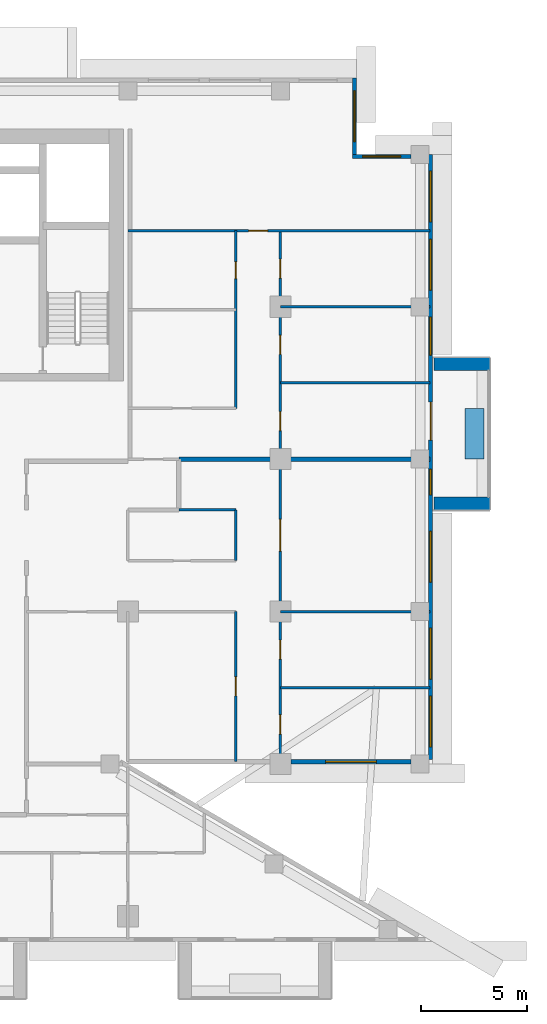
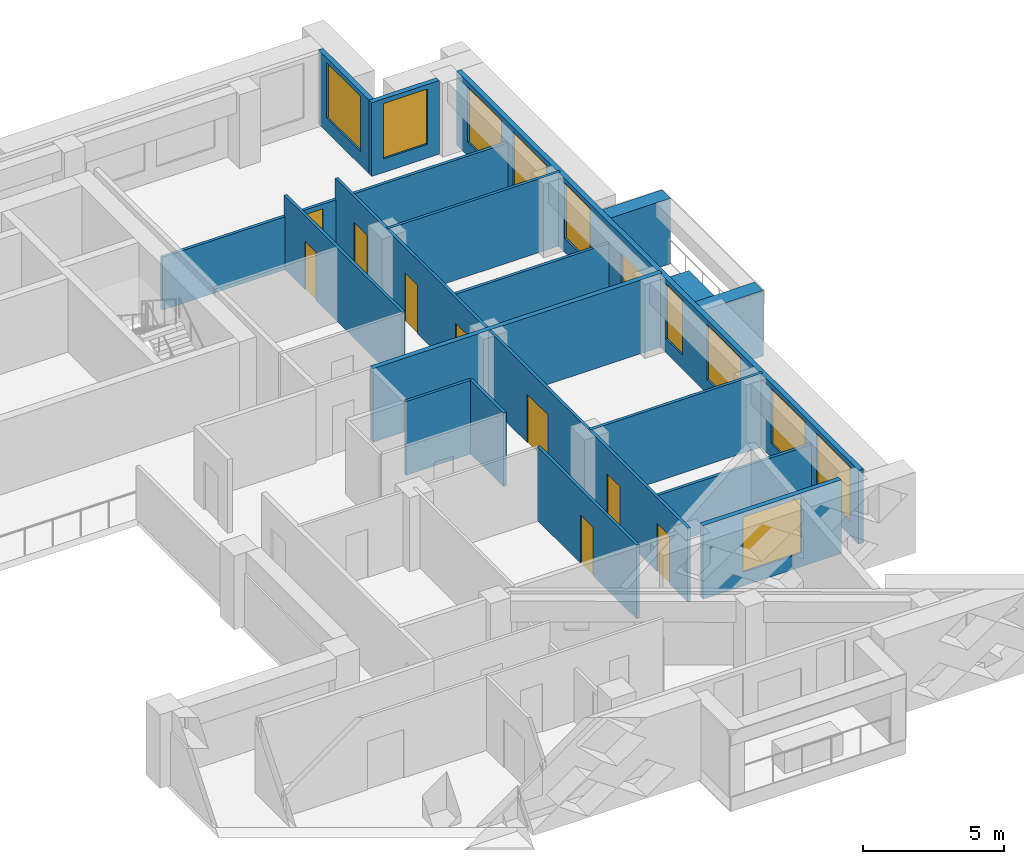
# One storey, part 12 of 20: 18 walls, 10 doors, 10 windows, 20 openings.
"""IFC4 building model written with IfcOpenShell, lengths in metres."""

from ifc_helpers import new_model, si_unit, direction, frame, frame_2d, origin, place, context, subcontext, project, spatial, rectangle, extrude, material, layer, layer_set, type_object, element, fill, save


model = new_model("IFC4")

# Units and contexts
model_context = context("Model", 3, precision=1e-05, world=origin(), true_north=direction((0.0, 1.0)))
body_context = subcontext(model_context, "Body", "Model", "MODEL_VIEW")
ifc_project = project(units=[si_unit("LENGTHUNIT", "METRE"), si_unit("AREAUNIT", "SQUARE_METRE"), si_unit("VOLUMEUNIT", "CUBIC_METRE"), si_unit("PLANEANGLEUNIT", "RADIAN"), si_unit("MASSUNIT", "GRAM", prefix="KILO")], contexts=[model_context])

# Site, building, storey
site_placement = place(None, origin())
site = spatial("IfcSite", under=ifc_project, at=site_placement, CompositionType="ELEMENT")
building_placement = place(site_placement, origin())
building = spatial("IfcBuilding", under=site, at=building_placement, Name="Saffron Iwan Residences", CompositionType="ELEMENT")
storey_placement = place(building_placement, frame((0.0, 0.0, 153.5)))
storey = spatial("IfcBuildingStorey", under=building, at=storey_placement, Name="L40", CompositionType="ELEMENT", Elevation=153.5)

# Walls
ifc_material_1 = material(Name="Concrete C50/60 white painted", Category="concrete")
ifc_layer_1 = layer(ifc_material_1, 0.60009765625)
ifc_layer_set_1 = layer_set([ifc_layer_1], Name="Concrete C50/60 white painted")
wall_type_1 = type_object("IfcWallType", Name="BALCONY FIN 600", PredefinedType="SOLIDWALL", material=ifc_layer_set_1)
for number, where, z_axis, x_axis, name in (
    (1, (86.449951171875, 60.300048828125, 0.0), (0.0, 0.0, 1.0), (1.0, 0.0, 0.0), "Balcony fin L40 F2-0a"),
    (2, (86.449951171875, 66.89990234375, 0.0), (0.0, 0.0, 1.0), (1.0, 0.0, 0.0), "Balcony fin L40 F2-0b"),
):
    element("IfcWall", number, at=place(storey_placement, frame(where, z_axis=z_axis, x_axis=x_axis)), inside=storey, type_object=wall_type_1, Name=name, PredefinedType="SOLIDWALL", context=body_context, shape_type="SweptSolid", body=[
        extrude(rectangle(XDim=2.650146484375, YDim=0.60009765625, at=frame_2d((1.3251953125, 0.0))), origin(), (0.0, 0.0, 1.0), 2.85009765625),
    ])
ifc_material_2 = material(Name="Concrete C35/45 white painted", Category="concrete")
ifc_layer_2 = layer(ifc_material_2, 0.14990234375)
ifc_layer_set_2 = layer_set([ifc_layer_2], Name="Concrete C35/45 white painted")
wall_type_2 = type_object("IfcWallType", Name="BALCONY PLANTER", PredefinedType="SOLIDWALL", material=ifc_layer_set_2)
wall_1_placement = place(storey_placement, frame((88.375, 62.39990234375, 0.0), z_axis=(0.0, 0.0, 1.0), x_axis=(0.0, 1.0, 0.0)))
element("IfcWall", 3, at=wall_1_placement, inside=storey, type_object=wall_type_2, Name="PLANTER L40 F2-0", PredefinedType="SOLIDWALL", context=body_context, shape_type="SweptSolid", body=[
    extrude(rectangle(XDim=2.400146484375, YDim=0.89990234375, at=frame_2d((1.2001953125, 0.0))), origin(), (0.0, 0.0, 1.0), 0.89990234375),
])

# Wall, opening, window
ifc_material_3 = material(Name="Concrete C40/50", Category="concrete")
ifc_layer_3 = layer(ifc_material_3, 0.199951171875)
ifc_layer_set_3 = layer_set([ifc_layer_3], Name="Concrete C40/50")
wall_type_3 = type_object("IfcWallType", Name="EXTERNAL WALL 200", PredefinedType="SOLIDWALL", material=ifc_layer_set_3)
wall_2_placement = place(storey_placement, frame((79.699951171875, 48.10009765625, 0.0), z_axis=(0.0, 0.0, 1.0), x_axis=(1.0, 0.0, 0.0)))
wall_2 = element("IfcWall", 4, at=wall_2_placement, inside=storey, type_object=wall_type_3, Name="External wall L40 F1.1", PredefinedType="SOLIDWALL", context=body_context, shape_type="SweptSolid", body=[
    extrude(rectangle(XDim=5.675048828125, YDim=0.199951171875, at=frame_2d((2.83740234375, 0.0))), origin(), (0.0, 0.0, 1.0), 3.199951171875),
])
opening_1_placement = place(wall_2_placement, frame((1.637451171875, 0.0, 0.60009765625)))
opening_1 = element("IfcOpeningElement", 5, at=opening_1_placement, cuts=wall_2, Name="Opening W1", PredefinedType="OPENING", context=body_context, shape_type="SweptSolid", body=[
    extrude(rectangle(XDim=2.39990234375, YDim=2.39990234375, at=frame_2d((1.199951171875, 1.199951171875))), frame((0.0, 0.10986328125, 0.0), z_axis=(0.0, -1.0, 0.0), x_axis=(1.0, 0.0, 0.0)), (0.0, 0.0, 1.0), 0.219970703125),
])
ifc_material_4 = material(Name="Clear glass, laminated double glazed", Category="glass")
window_type_1 = type_object("IfcWindowType", Name="WINDOW 2400 x 2400", PartitioningType="DOUBLE_PANEL_VERTICAL", PredefinedType="WINDOW", material=ifc_material_4)
window_1_placement = place(opening_1_placement, origin())
window_1 = element("IfcWindow", 6, at=window_1_placement, inside=storey, type_object=window_type_1, Name="Window L40 F1.0", OverallHeight=2.39990234375, OverallWidth=2.39990234375, PartitioningType="DOUBLE_PANEL_VERTICAL", PredefinedType="WINDOW", context=body_context, shape_type="SweptSolid", body=[
    extrude(rectangle(XDim=2.39990234375, YDim=2.39990234375, at=frame_2d((1.199951171875, 1.199951171875))), frame((0.0, 0.030029296875, 0.0), z_axis=(0.0, -1.0, 0.0), x_axis=(1.0, 0.0, 0.0)), (0.0, 0.0, 1.0), 0.06005859375),
])
fill(opening_1, window_1)

# Wall, openings, door, windows
wall_3_placement = place(storey_placement, frame((86.300048828125, 48.199951171875, 0.0), z_axis=(0.0, 0.0, 1.0), x_axis=(0.0, 1.0, 0.0)))
wall_3 = element("IfcWall", 7, at=wall_3_placement, inside=storey, type_object=wall_type_3, Name="External wall L40 F2.0", PredefinedType="SOLIDWALL", context=body_context, shape_type="SweptSolid", body=[
    extrude(rectangle(XDim=28.60009765625, YDim=0.199951171875, at=frame_2d((14.300048828125, 0.0))), origin(), (0.0, 0.0, 1.0), 3.199951171875),
])
opening_2_placement = place(wall_3_placement, frame((15.10009765625, 0.0, 0.0)))
opening_2 = element("IfcOpeningElement", 8, at=opening_2_placement, cuts=wall_3, Name="Opening BD1", PredefinedType="OPENING", context=body_context, shape_type="SweptSolid", body=[
    extrude(rectangle(XDim=1.800048828125, YDim=2.39990234375, at=frame_2d((0.89990234375, 1.199951171875))), frame((0.0, 0.10986328125, 0.0), z_axis=(0.0, -1.0, 0.0), x_axis=(1.0, 0.0, 0.0)), (0.0, 0.0, 1.0), 0.219970703125),
])
opening_3_placement = place(wall_3_placement, frame((0.60009765625, 0.0, 0.60009765625)))
opening_3 = element("IfcOpeningElement", 9, at=opening_3_placement, cuts=wall_3, Name="Opening W1", PredefinedType="OPENING", context=body_context, shape_type="SweptSolid", body=[
    extrude(rectangle(XDim=2.39990234375, YDim=2.39990234375, at=frame_2d((1.199951171875, 1.199951171875))), frame((0.0, 0.10986328125, 0.0), z_axis=(0.0, -1.0, 0.0), x_axis=(1.0, 0.0, 0.0)), (0.0, 0.0, 1.0), 0.219970703125),
])
opening_4_placement = place(wall_3_placement, frame((3.8125, 0.0, 0.60009765625)))
opening_4 = element("IfcOpeningElement", 10, at=opening_4_placement, cuts=wall_3, Name="Opening W1", PredefinedType="OPENING", context=body_context, shape_type="SweptSolid", body=[
    extrude(rectangle(XDim=2.39990234375, YDim=2.39990234375, at=frame_2d((1.199951171875, 1.199951171875))), frame((0.0, 0.10986328125, 0.0), z_axis=(0.0, -1.0, 0.0), x_axis=(1.0, 0.0, 0.0)), (0.0, 0.0, 1.0), 0.219970703125),
])
opening_5_placement = place(wall_3_placement, frame((8.387451171875, 0.0, 0.60009765625)))
opening_5 = element("IfcOpeningElement", 11, at=opening_5_placement, cuts=wall_3, Name="Opening W1", PredefinedType="OPENING", context=body_context, shape_type="SweptSolid", body=[
    extrude(rectangle(XDim=2.39990234375, YDim=2.39990234375, at=frame_2d((1.199951171875, 1.199951171875))), frame((0.0, 0.10986328125, 0.0), z_axis=(0.0, -1.0, 0.0), x_axis=(1.0, 0.0, 0.0)), (0.0, 0.0, 1.0), 0.219970703125),
])
opening_6_placement = place(wall_3_placement, frame((12.512451171875, 0.0, 0.60009765625)))
opening_6 = element("IfcOpeningElement", 12, at=opening_6_placement, cuts=wall_3, Name="Opening W3", PredefinedType="OPENING", context=body_context, shape_type="SweptSolid", body=[
    extrude(rectangle(XDim=1.199951171875, YDim=2.39990234375, at=frame_2d((0.60009765625, 1.199951171875))), frame((0.0, 0.10986328125, 0.0), z_axis=(0.0, -1.0, 0.0), x_axis=(1.0, 0.0, 0.0)), (0.0, 0.0, 1.0), 0.219970703125),
])
opening_7_placement = place(wall_3_placement, frame((19.112548828125, 0.0, 0.60009765625)))
opening_7 = element("IfcOpeningElement", 13, at=opening_7_placement, cuts=wall_3, Name="Opening W8", PredefinedType="OPENING", context=body_context, shape_type="SweptSolid", body=[
    extrude(rectangle(XDim=1.800048828125, YDim=2.39990234375, at=frame_2d((0.89990234375, 1.199951171875))), frame((0.0, 0.10986328125, 0.0), z_axis=(0.0, -1.0, 0.0), x_axis=(1.0, 0.0, 0.0)), (0.0, 0.0, 1.0), 0.219970703125),
])
opening_8_placement = place(wall_3_placement, frame((22.1875, 0.0, 0.60009765625)))
opening_8 = element("IfcOpeningElement", 14, at=opening_8_placement, cuts=wall_3, Name="Opening W1", PredefinedType="OPENING", context=body_context, shape_type="SweptSolid", body=[
    extrude(rectangle(XDim=2.39990234375, YDim=2.39990234375, at=frame_2d((1.199951171875, 1.199951171875))), frame((0.0, 0.10986328125, 0.0), z_axis=(0.0, -1.0, 0.0), x_axis=(1.0, 0.0, 0.0)), (0.0, 0.0, 1.0), 0.219970703125),
])
opening_9_placement = place(wall_3_placement, frame((25.41259765625, 0.0, 0.60009765625)))
opening_9 = element("IfcOpeningElement", 15, at=opening_9_placement, cuts=wall_3, Name="Opening W1", PredefinedType="OPENING", context=body_context, shape_type="SweptSolid", body=[
    extrude(rectangle(XDim=2.39990234375, YDim=2.39990234375, at=frame_2d((1.199951171875, 1.199951171875))), frame((0.0, 0.10986328125, 0.0), z_axis=(0.0, -1.0, 0.0), x_axis=(1.0, 0.0, 0.0)), (0.0, 0.0, 1.0), 0.219970703125),
])
door_type_1 = type_object("IfcDoorType", Name="BALCONY DOOR 1800 x 2400", OperationType="DOUBLE_DOOR_SLIDING", PredefinedType="DOOR", material=ifc_material_4)
door_1_placement = place(opening_2_placement, origin())
door_1 = element("IfcDoor", 16, at=door_1_placement, inside=storey, type_object=door_type_1, Name="Balcony door L40 F2.0", OperationType="DOUBLE_DOOR_SLIDING", OverallHeight=2.39990234375, OverallWidth=1.800048828125, PredefinedType="DOOR", context=body_context, shape_type="SweptSolid", body=[
    extrude(rectangle(XDim=1.800048828125, YDim=2.39990234375, at=frame_2d((0.89990234375, 1.199951171875))), frame((0.0, 0.02490234375, 0.0), z_axis=(0.0, -1.0, 0.0), x_axis=(1.0, 0.0, 0.0)), (0.0, 0.0, 1.0), 0.050048828125),
])
fill(opening_2, door_1)
window_type_2 = type_object("IfcWindowType", Name="WINDOW 1200 x 2400", PartitioningType="SINGLE_PANEL", PredefinedType="WINDOW", material=ifc_material_4)
window_2_placement = place(opening_6_placement, origin())
window_2 = element("IfcWindow", 17, at=window_2_placement, inside=storey, type_object=window_type_2, Name="Window L40 F2.4", OverallHeight=2.39990234375, OverallWidth=1.199951171875, PartitioningType="SINGLE_PANEL", PredefinedType="WINDOW", context=body_context, shape_type="SweptSolid", body=[
    extrude(rectangle(XDim=1.199951171875, YDim=2.39990234375, at=frame_2d((0.60009765625, 1.199951171875))), frame((0.0, 0.030029296875, 0.0), z_axis=(0.0, -1.0, 0.0), x_axis=(1.0, 0.0, 0.0)), (0.0, 0.0, 1.0), 0.06005859375),
])
fill(opening_6, window_2)
window_type_3 = type_object("IfcWindowType", Name="WINDOW 1800 x 2400", PartitioningType="DOUBLE_PANEL_VERTICAL", PredefinedType="WINDOW", material=ifc_material_4)
window_3_placement = place(opening_7_placement, origin())
window_3 = element("IfcWindow", 18, at=window_3_placement, inside=storey, type_object=window_type_3, Name="Window L40 F2.5", OverallHeight=2.39990234375, OverallWidth=1.800048828125, PartitioningType="DOUBLE_PANEL_VERTICAL", PredefinedType="WINDOW", context=body_context, shape_type="SweptSolid", body=[
    extrude(rectangle(XDim=1.800048828125, YDim=2.39990234375, at=frame_2d((0.89990234375, 1.199951171875))), frame((0.0, 0.030029296875, 0.0), z_axis=(0.0, -1.0, 0.0), x_axis=(1.0, 0.0, 0.0)), (0.0, 0.0, 1.0), 0.06005859375),
])
fill(opening_7, window_3)
window_4_placement = place(opening_3_placement, origin())
window_4 = element("IfcWindow", 19, at=window_4_placement, inside=storey, type_object=window_type_1, Name="Window L40 F2.1", OverallHeight=2.39990234375, OverallWidth=2.39990234375, PartitioningType="DOUBLE_PANEL_VERTICAL", PredefinedType="WINDOW", context=body_context, shape_type="SweptSolid", body=[
    extrude(rectangle(XDim=2.39990234375, YDim=2.39990234375, at=frame_2d((1.199951171875, 1.199951171875))), frame((0.0, 0.030029296875, 0.0), z_axis=(0.0, -1.0, 0.0), x_axis=(1.0, 0.0, 0.0)), (0.0, 0.0, 1.0), 0.06005859375),
])
fill(opening_3, window_4)
window_5_placement = place(opening_4_placement, origin())
window_5 = element("IfcWindow", 20, at=window_5_placement, inside=storey, type_object=window_type_1, Name="Window L40 F2.2", OverallHeight=2.39990234375, OverallWidth=2.39990234375, PartitioningType="DOUBLE_PANEL_VERTICAL", PredefinedType="WINDOW", context=body_context, shape_type="SweptSolid", body=[
    extrude(rectangle(XDim=2.39990234375, YDim=2.39990234375, at=frame_2d((1.199951171875, 1.199951171875))), frame((0.0, 0.030029296875, 0.0), z_axis=(0.0, -1.0, 0.0), x_axis=(1.0, 0.0, 0.0)), (0.0, 0.0, 1.0), 0.06005859375),
])
fill(opening_4, window_5)
window_6_placement = place(opening_5_placement, origin())
window_6 = element("IfcWindow", 21, at=window_6_placement, inside=storey, type_object=window_type_1, Name="Window L40 F2.3", OverallHeight=2.39990234375, OverallWidth=2.39990234375, PartitioningType="DOUBLE_PANEL_VERTICAL", PredefinedType="WINDOW", context=body_context, shape_type="SweptSolid", body=[
    extrude(rectangle(XDim=2.39990234375, YDim=2.39990234375, at=frame_2d((1.199951171875, 1.199951171875))), frame((0.0, 0.030029296875, 0.0), z_axis=(0.0, -1.0, 0.0), x_axis=(1.0, 0.0, 0.0)), (0.0, 0.0, 1.0), 0.06005859375),
])
fill(opening_5, window_6)
window_7_placement = place(opening_8_placement, origin())
window_7 = element("IfcWindow", 22, at=window_7_placement, inside=storey, type_object=window_type_1, Name="Window L40 F2.6", OverallHeight=2.39990234375, OverallWidth=2.39990234375, PartitioningType="DOUBLE_PANEL_VERTICAL", PredefinedType="WINDOW", context=body_context, shape_type="SweptSolid", body=[
    extrude(rectangle(XDim=2.39990234375, YDim=2.39990234375, at=frame_2d((1.199951171875, 1.199951171875))), frame((0.0, 0.030029296875, 0.0), z_axis=(0.0, -1.0, 0.0), x_axis=(1.0, 0.0, 0.0)), (0.0, 0.0, 1.0), 0.06005859375),
])
fill(opening_8, window_7)
window_8_placement = place(opening_9_placement, origin())
window_8 = element("IfcWindow", 23, at=window_8_placement, inside=storey, type_object=window_type_1, Name="Window L40 F2.7", OverallHeight=2.39990234375, OverallWidth=2.39990234375, PartitioningType="DOUBLE_PANEL_VERTICAL", PredefinedType="WINDOW", context=body_context, shape_type="SweptSolid", body=[
    extrude(rectangle(XDim=2.39990234375, YDim=2.39990234375, at=frame_2d((1.199951171875, 1.199951171875))), frame((0.0, 0.030029296875, 0.0), z_axis=(0.0, -1.0, 0.0), x_axis=(1.0, 0.0, 0.0)), (0.0, 0.0, 1.0), 0.06005859375),
])
fill(opening_9, window_8)

# Wall, opening, window
wall_4_placement = place(storey_placement, frame((85.375, 76.699951171875, 0.0), z_axis=(0.0, 0.0, 1.0), x_axis=(-1.0, 0.0, 0.0)))
wall_4 = element("IfcWall", 24, at=wall_4_placement, inside=storey, type_object=wall_type_3, Name="External wall L40 F3.0", PredefinedType="SOLIDWALL", context=body_context, shape_type="SweptSolid", body=[
    extrude(rectangle(XDim=2.77490234375, YDim=0.199951171875, at=frame_2d((1.387451171875, 0.0))), origin(), (0.0, 0.0, 1.0), 3.199951171875),
])
opening_10_placement = place(wall_4_placement, frame((0.487548828125, 0.0, 0.60009765625)))
opening_10 = element("IfcOpeningElement", 25, at=opening_10_placement, cuts=wall_4, Name="Opening W8", PredefinedType="OPENING", context=body_context, shape_type="SweptSolid", body=[
    extrude(rectangle(XDim=1.800048828125, YDim=2.39990234375, at=frame_2d((0.89990234375, 1.199951171875))), frame((0.0, 0.10986328125, 0.0), z_axis=(0.0, -1.0, 0.0), x_axis=(1.0, 0.0, 0.0)), (0.0, 0.0, 1.0), 0.219970703125),
])
window_9_placement = place(opening_10_placement, origin())
window_9 = element("IfcWindow", 26, at=window_9_placement, inside=storey, type_object=window_type_3, Name="Window L40 F3.0", OverallHeight=2.39990234375, OverallWidth=1.800048828125, PartitioningType="DOUBLE_PANEL_VERTICAL", PredefinedType="WINDOW", context=body_context, shape_type="SweptSolid", body=[
    extrude(rectangle(XDim=1.800048828125, YDim=2.39990234375, at=frame_2d((0.89990234375, 1.199951171875))), frame((0.0, 0.030029296875, 0.0), z_axis=(0.0, -1.0, 0.0), x_axis=(1.0, 0.0, 0.0)), (0.0, 0.0, 1.0), 0.06005859375),
])
fill(opening_10, window_9)

wall_5_placement = place(storey_placement, frame((82.699951171875, 76.800048828125, 0.0), z_axis=(0.0, 0.0, 1.0), x_axis=(0.0, 1.0, 0.0)))
wall_5 = element("IfcWall", 27, at=wall_5_placement, inside=storey, type_object=wall_type_3, Name="External wall L40 F4.0", PredefinedType="SOLIDWALL", context=body_context, shape_type="SweptSolid", body=[
    extrude(rectangle(XDim=3.599853515625, YDim=0.199951171875, at=frame_2d((1.7998046875, 0.0))), origin(), (0.0, 0.0, 1.0), 3.199951171875),
])
opening_11_placement = place(wall_5_placement, frame((0.60009765625, 0.0, 0.60009765625)))
opening_11 = element("IfcOpeningElement", 28, at=opening_11_placement, cuts=wall_5, Name="Opening W1", PredefinedType="OPENING", context=body_context, shape_type="SweptSolid", body=[
    extrude(rectangle(XDim=2.39990234375, YDim=2.39990234375, at=frame_2d((1.199951171875, 1.199951171875))), frame((0.0, 0.10986328125, 0.0), z_axis=(0.0, -1.0, 0.0), x_axis=(1.0, 0.0, 0.0)), (0.0, 0.0, 1.0), 0.219970703125),
])
window_10_placement = place(opening_11_placement, origin())
window_10 = element("IfcWindow", 29, at=window_10_placement, inside=storey, type_object=window_type_1, Name="Window L40 F4.0", OverallHeight=2.39990234375, OverallWidth=2.39990234375, PartitioningType="DOUBLE_PANEL_VERTICAL", PredefinedType="WINDOW", context=body_context, shape_type="SweptSolid", body=[
    extrude(rectangle(XDim=2.39990234375, YDim=2.39990234375, at=frame_2d((1.199951171875, 1.199951171875))), frame((0.0, 0.030029296875, 0.0), z_axis=(0.0, -1.0, 0.0), x_axis=(1.0, 0.0, 0.0)), (0.0, 0.0, 1.0), 0.06005859375),
])
fill(opening_11, window_10)

# Walls
ifc_material_5 = material(Name="Fire-rated gypsum board wall")
ifc_layer_4 = layer(ifc_material_5, 0.199951171875)
ifc_layer_set_4 = layer_set([ifc_layer_4], Name="Fire-rated gypsum board wall")
wall_type_4 = type_object("IfcWallType", Name="Flat demising wall 200", PredefinedType="SOLIDWALL", material=ifc_layer_set_4)
wall_6_placement = place(storey_placement, frame((74.39990234375, 62.39990234375, 0.0), z_axis=(0.0, 0.0, 1.0), x_axis=(1.0, 0.0, 0.0)))
element("IfcWall", 30, at=wall_6_placement, inside=storey, type_object=wall_type_4, Name="W-L40-DEMISE-h62.4-74.4", PredefinedType="SOLIDWALL", context=body_context, shape_type="SweptSolid", body=[
    extrude(rectangle(XDim=11.875, YDim=0.199951171875, at=frame_2d((5.9375, 0.0))), origin(), (0.0, 0.0, 1.0), 3.199951171875),
])
ifc_material_6 = material(Name="Gypsum board partition")
ifc_layer_5 = layer(ifc_material_6, 0.1201171875)
ifc_layer_set_5 = layer_set([ifc_layer_5], Name="Gypsum board partition")
wall_type_5 = type_object("IfcWallType", Name="Flat partition 120", PredefinedType="PARTITIONING", material=ifc_layer_set_5)
wall_7_placement = place(storey_placement, frame((79.199951171875, 51.60009765625, 0.0), z_axis=(0.0, 0.0, 1.0), x_axis=(1.0, 0.0, 0.0)))
element("IfcWall", 31, at=wall_7_placement, inside=storey, type_object=wall_type_5, Name="W-L40-PART-h51.6-79.2", PredefinedType="PARTITIONING", context=body_context, shape_type="SweptSolid", body=[
    extrude(rectangle(XDim=7.074951171875, YDim=0.1201171875, at=frame_2d((3.53759765625, 0.0))), origin(), (0.0, 0.0, 1.0), 2.300048828125),
])
wall_8_placement = place(storey_placement, frame((79.199951171875, 55.199951171875, 0.0), z_axis=(0.0, 0.0, 1.0), x_axis=(1.0, 0.0, 0.0)))
element("IfcWall", 32, at=wall_8_placement, inside=storey, type_object=wall_type_5, Name="W-L40-PART-h55.2-79.2", PredefinedType="PARTITIONING", context=body_context, shape_type="SweptSolid", body=[
    extrude(rectangle(XDim=7.074951171875, YDim=0.1201171875, at=frame_2d((3.53759765625, 0.0))), origin(), (0.0, 0.0, 1.0), 3.199951171875),
])
wall_9_placement = place(storey_placement, frame((74.39990234375, 60.0, 0.0), z_axis=(0.0, 0.0, 1.0), x_axis=(1.0, 0.0, 0.0)))
element("IfcWall", 33, at=wall_9_placement, inside=storey, type_object=wall_type_5, Name="W-L40-PART-h60-74.4", PredefinedType="PARTITIONING", context=body_context, shape_type="SweptSolid", body=[
    extrude(rectangle(XDim=2.7001953125, YDim=0.1201171875, at=frame_2d((1.35009765625, 0.0))), origin(), (0.0, 0.0, 1.0), 3.199951171875),
])
wall_10_placement = place(storey_placement, frame((79.199951171875, 66.0, 0.0), z_axis=(0.0, 0.0, 1.0), x_axis=(1.0, 0.0, 0.0)))
element("IfcWall", 34, at=wall_10_placement, inside=storey, type_object=wall_type_5, Name="W-L40-PART-h66-79.2", PredefinedType="PARTITIONING", context=body_context, shape_type="SweptSolid", body=[
    extrude(rectangle(XDim=7.074951171875, YDim=0.1201171875, at=frame_2d((3.53759765625, 0.0))), origin(), (0.0, 0.0, 1.0), 2.300048828125),
])
wall_11_placement = place(storey_placement, frame((79.199951171875, 69.60009765625, 0.0), z_axis=(0.0, 0.0, 1.0), x_axis=(1.0, 0.0, 0.0)))
element("IfcWall", 35, at=wall_11_placement, inside=storey, type_object=wall_type_5, Name="W-L40-PART-h69.6-79.2", PredefinedType="PARTITIONING", context=body_context, shape_type="SweptSolid", body=[
    extrude(rectangle(XDim=7.074951171875, YDim=0.1201171875, at=frame_2d((3.53759765625, 0.0))), origin(), (0.0, 0.0, 1.0), 3.199951171875),
])

# Wall, opening, door
wall_12_placement = place(storey_placement, frame((72.0, 73.199951171875, 0.0), z_axis=(0.0, 0.0, 1.0), x_axis=(1.0, 0.0, 0.0)))
wall_12 = element("IfcWall", 36, at=wall_12_placement, inside=storey, type_object=wall_type_5, Name="W-L40-PART-h73.2-72", PredefinedType="PARTITIONING", context=body_context, shape_type="SweptSolid", body=[
    extrude(rectangle(XDim=14.27490234375, YDim=0.1201171875, at=frame_2d((7.137451171875, 0.0))), origin(), (0.0, 0.0, 1.0), 2.300048828125),
])
opening_12_placement = place(wall_12_placement, frame((5.699951171875, 0.0, 0.0)))
opening_12 = element("IfcOpeningElement", 37, at=opening_12_placement, cuts=wall_12, Name="Opening FD2", PredefinedType="OPENING", context=body_context, shape_type="SweptSolid", body=[
    extrude(rectangle(XDim=0.89990234375, YDim=2.10009765625, at=frame_2d((0.449951171875, 1.050048828125))), frame((0.0, 0.070068359375, 0.0), z_axis=(0.0, -1.0, 0.0), x_axis=(1.0, 0.0, 0.0)), (0.0, 0.0, 1.0), 0.14013671875),
])
ifc_material_7 = material(Name="Timber door", Category="wood")
door_type_2 = type_object("IfcDoorType", Name="Flat door 900", OperationType="NOTDEFINED", PredefinedType="DOOR", material=ifc_material_7)
door_2_placement = place(opening_12_placement, origin())
door_2 = element("IfcDoor", 38, at=door_2_placement, inside=storey, type_object=door_type_2, Name="Door L40-036", OperationType="SINGLE_SWING_RIGHT", OverallHeight=2.10009765625, OverallWidth=0.89990234375, PredefinedType="DOOR", context=body_context, shape_type="SweptSolid", body=[
    extrude(rectangle(XDim=0.89990234375, YDim=2.10009765625, at=frame_2d((0.449951171875, 1.050048828125))), frame((0.0, 0.02490234375, 0.0), z_axis=(0.0, -1.0, 0.0), x_axis=(1.0, 0.0, 0.0)), (0.0, 0.0, 1.0), 0.050048828125),
])
fill(opening_12, door_2)

wall_13_placement = place(storey_placement, frame((77.10009765625, 48.125, 0.0), z_axis=(0.0, 0.0, 1.0), x_axis=(0.0, 1.0, 0.0)))
wall_13 = element("IfcWall", 39, at=wall_13_placement, inside=storey, type_object=wall_type_5, Name="W-L40-PART-v77.1-48.125", PredefinedType="PARTITIONING", context=body_context, shape_type="SweptSolid", body=[
    extrude(rectangle(XDim=7.074951171875, YDim=0.1201171875, at=frame_2d((3.53759765625, 0.0))), origin(), (0.0, 0.0, 1.0), 3.199951171875),
])
opening_13_placement = place(wall_13_placement, frame((3.08740234375, 0.0, 0.0)))
opening_13 = element("IfcOpeningElement", 40, at=opening_13_placement, cuts=wall_13, Name="Opening FD2", PredefinedType="OPENING", context=body_context, shape_type="SweptSolid", body=[
    extrude(rectangle(XDim=0.89990234375, YDim=2.10009765625, at=frame_2d((0.449951171875, 1.050048828125))), frame((0.0, 0.070068359375, 0.0), z_axis=(0.0, -1.0, 0.0), x_axis=(1.0, 0.0, 0.0)), (0.0, 0.0, 1.0), 0.14013671875),
])
door_3_placement = place(opening_13_placement, origin())
door_3 = element("IfcDoor", 41, at=door_3_placement, inside=storey, type_object=door_type_2, Name="Door L40-018", OperationType="SINGLE_SWING_RIGHT", OverallHeight=2.10009765625, OverallWidth=0.89990234375, PredefinedType="DOOR", context=body_context, shape_type="SweptSolid", body=[
    extrude(rectangle(XDim=0.89990234375, YDim=2.10009765625, at=frame_2d((0.449951171875, 1.050048828125))), frame((0.0, 0.02490234375, 0.0), z_axis=(0.0, -1.0, 0.0), x_axis=(1.0, 0.0, 0.0)), (0.0, 0.0, 1.0), 0.050048828125),
])
fill(opening_13, door_3)

# Wall
wall_14_placement = place(storey_placement, frame((77.10009765625, 57.60009765625, 0.0), z_axis=(0.0, 0.0, 1.0), x_axis=(0.0, 1.0, 0.0)))
element("IfcWall", 42, at=wall_14_placement, inside=storey, type_object=wall_type_5, Name="W-L40-PART-v77.1-57.6", PredefinedType="PARTITIONING", context=body_context, shape_type="SweptSolid", body=[
    extrude(rectangle(XDim=2.39990234375, YDim=0.1201171875, at=frame_2d((1.199951171875, 0.0))), origin(), (0.0, 0.0, 1.0), 3.199951171875),
])

# Wall, opening, door
wall_15_placement = place(storey_placement, frame((77.10009765625, 64.800048828125, 0.0), z_axis=(0.0, 0.0, 1.0), x_axis=(0.0, 1.0, 0.0)))
wall_15 = element("IfcWall", 43, at=wall_15_placement, inside=storey, type_object=wall_type_5, Name="W-L40-PART-v77.1-64.8", PredefinedType="PARTITIONING", context=body_context, shape_type="SweptSolid", body=[
    extrude(rectangle(XDim=8.39990234375, YDim=0.1201171875, at=frame_2d((4.199951171875, 0.0))), origin(), (0.0, 0.0, 1.0), 3.199951171875),
])
opening_14_placement = place(wall_15_placement, frame((6.125, 0.0, 0.0)))
opening_14 = element("IfcOpeningElement", 44, at=opening_14_placement, cuts=wall_15, Name="Opening FD3", PredefinedType="OPENING", context=body_context, shape_type="SweptSolid", body=[
    extrude(rectangle(XDim=0.800048828125, YDim=2.10009765625, at=frame_2d((0.39990234375, 1.050048828125))), frame((0.0, 0.070068359375, 0.0), z_axis=(0.0, -1.0, 0.0), x_axis=(1.0, 0.0, 0.0)), (0.0, 0.0, 1.0), 0.14013671875),
])
door_type_3 = type_object("IfcDoorType", Name="Bathroom door 800", OperationType="NOTDEFINED", PredefinedType="DOOR", material=ifc_material_7)
door_4_placement = place(opening_14_placement, origin())
door_4 = element("IfcDoor", 45, at=door_4_placement, inside=storey, type_object=door_type_3, Name="Door L40-038", OperationType="SINGLE_SWING_LEFT", OverallHeight=2.10009765625, OverallWidth=0.800048828125, PredefinedType="DOOR", context=body_context, shape_type="SweptSolid", body=[
    extrude(rectangle(XDim=0.800048828125, YDim=2.10009765625, at=frame_2d((0.39990234375, 1.050048828125))), frame((0.0, 0.02490234375, 0.0), z_axis=(0.0, -1.0, 0.0), x_axis=(1.0, 0.0, 0.0)), (0.0, 0.0, 1.0), 0.050048828125),
])
fill(opening_14, door_4)

# Wall, openings, doors
wall_16_placement = place(storey_placement, frame((79.199951171875, 48.125, 0.0), z_axis=(0.0, 0.0, 1.0), x_axis=(0.0, 1.0, 0.0)))
wall_16 = element("IfcWall", 46, at=wall_16_placement, inside=storey, type_object=wall_type_5, Name="W-L40-PART-v79.2-48.125", PredefinedType="PARTITIONING", context=body_context, shape_type="SweptSolid", body=[
    extrude(rectangle(XDim=25.074951171875, YDim=0.1201171875, at=frame_2d((12.53759765625, 0.0))), origin(), (0.0, 0.0, 1.0), 3.199951171875),
])
opening_15_placement = place(wall_16_placement, frame((1.28759765625, 0.0, 0.0)))
opening_15 = element("IfcOpeningElement", 47, at=opening_15_placement, cuts=wall_16, Name="Opening FD2", PredefinedType="OPENING", context=body_context, shape_type="SweptSolid", body=[
    extrude(rectangle(XDim=0.89990234375, YDim=2.10009765625, at=frame_2d((0.449951171875, 1.050048828125))), frame((0.0, 0.070068359375, 0.0), z_axis=(0.0, -1.0, 0.0), x_axis=(1.0, 0.0, 0.0)), (0.0, 0.0, 1.0), 0.14013671875),
])
opening_16_placement = place(wall_16_placement, frame((4.824951171875, 0.0, 0.0)))
opening_16 = element("IfcOpeningElement", 48, at=opening_16_placement, cuts=wall_16, Name="Opening FD2", PredefinedType="OPENING", context=body_context, shape_type="SweptSolid", body=[
    extrude(rectangle(XDim=0.89990234375, YDim=2.10009765625, at=frame_2d((0.449951171875, 1.050048828125))), frame((0.0, 0.070068359375, 0.0), z_axis=(0.0, -1.0, 0.0), x_axis=(1.0, 0.0, 0.0)), (0.0, 0.0, 1.0), 0.14013671875),
])
opening_17_placement = place(wall_16_placement, frame((9.925048828125, 0.0, 0.0)))
opening_17 = element("IfcOpeningElement", 49, at=opening_17_placement, cuts=wall_16, Name="Opening FD4", PredefinedType="OPENING", context=body_context, shape_type="SweptSolid", body=[
    extrude(rectangle(XDim=1.5, YDim=2.10009765625, at=frame_2d((0.75, 1.050048828125))), frame((0.0, 0.070068359375, 0.0), z_axis=(0.0, -1.0, 0.0), x_axis=(1.0, 0.0, 0.0)), (0.0, 0.0, 1.0), 0.14013671875),
])
opening_18_placement = place(wall_16_placement, frame((15.625, 0.0, 0.0)))
opening_18 = element("IfcOpeningElement", 50, at=opening_18_placement, cuts=wall_16, Name="Opening FD2", PredefinedType="OPENING", context=body_context, shape_type="SweptSolid", body=[
    extrude(rectangle(XDim=0.89990234375, YDim=2.10009765625, at=frame_2d((0.449951171875, 1.050048828125))), frame((0.0, 0.070068359375, 0.0), z_axis=(0.0, -1.0, 0.0), x_axis=(1.0, 0.0, 0.0)), (0.0, 0.0, 1.0), 0.14013671875),
])
opening_19_placement = place(wall_16_placement, frame((19.22509765625, 0.0, 0.0)))
opening_19 = element("IfcOpeningElement", 51, at=opening_19_placement, cuts=wall_16, Name="Opening FD2", PredefinedType="OPENING", context=body_context, shape_type="SweptSolid", body=[
    extrude(rectangle(XDim=0.89990234375, YDim=2.10009765625, at=frame_2d((0.449951171875, 1.050048828125))), frame((0.0, 0.070068359375, 0.0), z_axis=(0.0, -1.0, 0.0), x_axis=(1.0, 0.0, 0.0)), (0.0, 0.0, 1.0), 0.14013671875),
])
opening_20_placement = place(wall_16_placement, frame((22.824951171875, 0.0, 0.0)))
opening_20 = element("IfcOpeningElement", 52, at=opening_20_placement, cuts=wall_16, Name="Opening FD2", PredefinedType="OPENING", context=body_context, shape_type="SweptSolid", body=[
    extrude(rectangle(XDim=0.89990234375, YDim=2.10009765625, at=frame_2d((0.449951171875, 1.050048828125))), frame((0.0, 0.070068359375, 0.0), z_axis=(0.0, -1.0, 0.0), x_axis=(1.0, 0.0, 0.0)), (0.0, 0.0, 1.0), 0.14013671875),
])
door_type_4 = type_object("IfcDoorType", Name="Double door 1500", OperationType="NOTDEFINED", PredefinedType="DOOR", material=ifc_material_7)
door_5_placement = place(opening_17_placement, origin())
door_5 = element("IfcDoor", 53, at=door_5_placement, inside=storey, type_object=door_type_4, Name="Door L40-017", OperationType="SINGLE_SWING_LEFT", OverallHeight=2.10009765625, OverallWidth=1.5, PredefinedType="DOOR", context=body_context, shape_type="SweptSolid", body=[
    extrude(rectangle(XDim=1.5, YDim=2.10009765625, at=frame_2d((0.75, 1.050048828125))), frame((0.0, 0.02490234375, 0.0), z_axis=(0.0, -1.0, 0.0), x_axis=(1.0, 0.0, 0.0)), (0.0, 0.0, 1.0), 0.050048828125),
])
fill(opening_17, door_5)
door_6_placement = place(opening_15_placement, origin())
door_6 = element("IfcDoor", 54, at=door_6_placement, inside=storey, type_object=door_type_2, Name="Door L40-015", OperationType="SINGLE_SWING_RIGHT", OverallHeight=2.10009765625, OverallWidth=0.89990234375, PredefinedType="DOOR", context=body_context, shape_type="SweptSolid", body=[
    extrude(rectangle(XDim=0.89990234375, YDim=2.10009765625, at=frame_2d((0.449951171875, 1.050048828125))), frame((0.0, 0.02490234375, 0.0), z_axis=(0.0, -1.0, 0.0), x_axis=(1.0, 0.0, 0.0)), (0.0, 0.0, 1.0), 0.050048828125),
])
fill(opening_15, door_6)
door_7_placement = place(opening_16_placement, origin())
door_7 = element("IfcDoor", 55, at=door_7_placement, inside=storey, type_object=door_type_2, Name="Door L40-016", OperationType="SINGLE_SWING_LEFT", OverallHeight=2.10009765625, OverallWidth=0.89990234375, PredefinedType="DOOR", context=body_context, shape_type="SweptSolid", body=[
    extrude(rectangle(XDim=0.89990234375, YDim=2.10009765625, at=frame_2d((0.449951171875, 1.050048828125))), frame((0.0, 0.02490234375, 0.0), z_axis=(0.0, -1.0, 0.0), x_axis=(1.0, 0.0, 0.0)), (0.0, 0.0, 1.0), 0.050048828125),
])
fill(opening_16, door_7)
door_8_placement = place(opening_18_placement, origin())
door_8 = element("IfcDoor", 56, at=door_8_placement, inside=storey, type_object=door_type_2, Name="Door L40-033", OperationType="SINGLE_SWING_RIGHT", OverallHeight=2.10009765625, OverallWidth=0.89990234375, PredefinedType="DOOR", context=body_context, shape_type="SweptSolid", body=[
    extrude(rectangle(XDim=0.89990234375, YDim=2.10009765625, at=frame_2d((0.449951171875, 1.050048828125))), frame((0.0, 0.02490234375, 0.0), z_axis=(0.0, -1.0, 0.0), x_axis=(1.0, 0.0, 0.0)), (0.0, 0.0, 1.0), 0.050048828125),
])
fill(opening_18, door_8)
door_9_placement = place(opening_19_placement, origin())
door_9 = element("IfcDoor", 57, at=door_9_placement, inside=storey, type_object=door_type_2, Name="Door L40-034", OperationType="SINGLE_SWING_LEFT", OverallHeight=2.10009765625, OverallWidth=0.89990234375, PredefinedType="DOOR", context=body_context, shape_type="SweptSolid", body=[
    extrude(rectangle(XDim=0.89990234375, YDim=2.10009765625, at=frame_2d((0.449951171875, 1.050048828125))), frame((0.0, 0.02490234375, 0.0), z_axis=(0.0, -1.0, 0.0), x_axis=(1.0, 0.0, 0.0)), (0.0, 0.0, 1.0), 0.050048828125),
])
fill(opening_19, door_9)
door_10_placement = place(opening_20_placement, origin())
door_10 = element("IfcDoor", 58, at=door_10_placement, inside=storey, type_object=door_type_2, Name="Door L40-035", OperationType="SINGLE_SWING_LEFT", OverallHeight=2.10009765625, OverallWidth=0.89990234375, PredefinedType="DOOR", context=body_context, shape_type="SweptSolid", body=[
    extrude(rectangle(XDim=0.89990234375, YDim=2.10009765625, at=frame_2d((0.449951171875, 1.050048828125))), frame((0.0, 0.02490234375, 0.0), z_axis=(0.0, -1.0, 0.0), x_axis=(1.0, 0.0, 0.0)), (0.0, 0.0, 1.0), 0.050048828125),
])
fill(opening_20, door_10)

save(model, "model.ifc")
